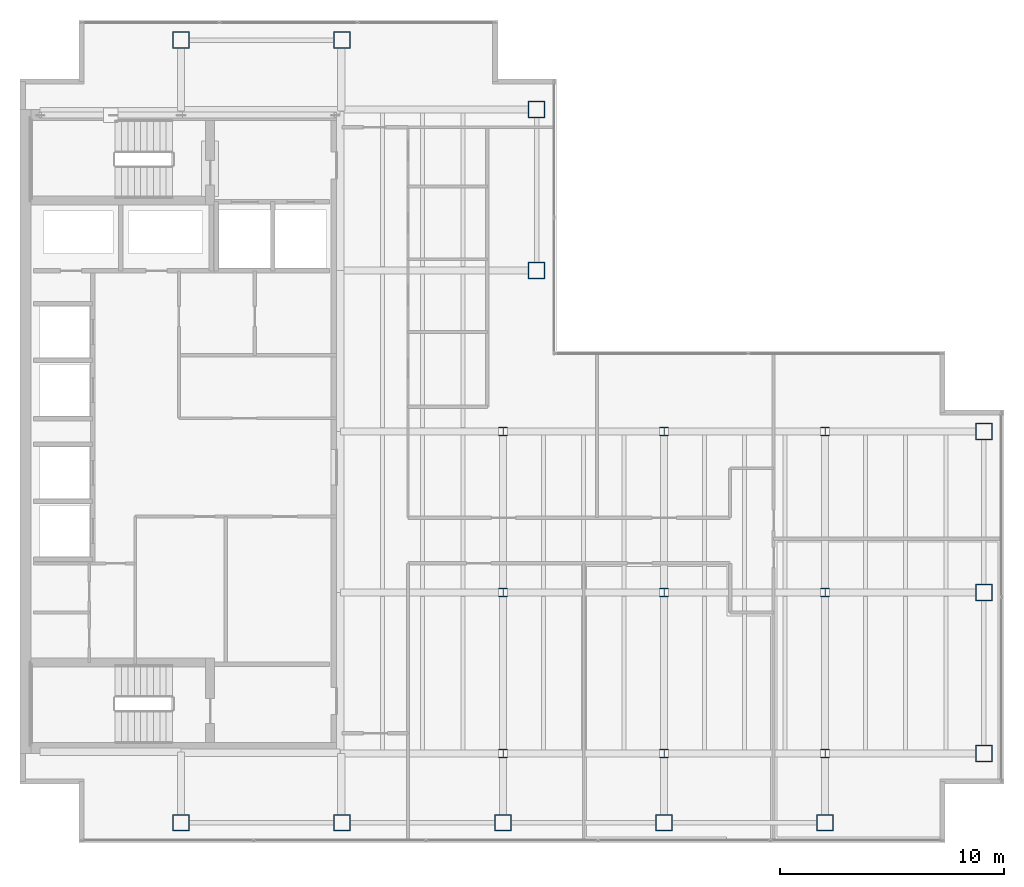
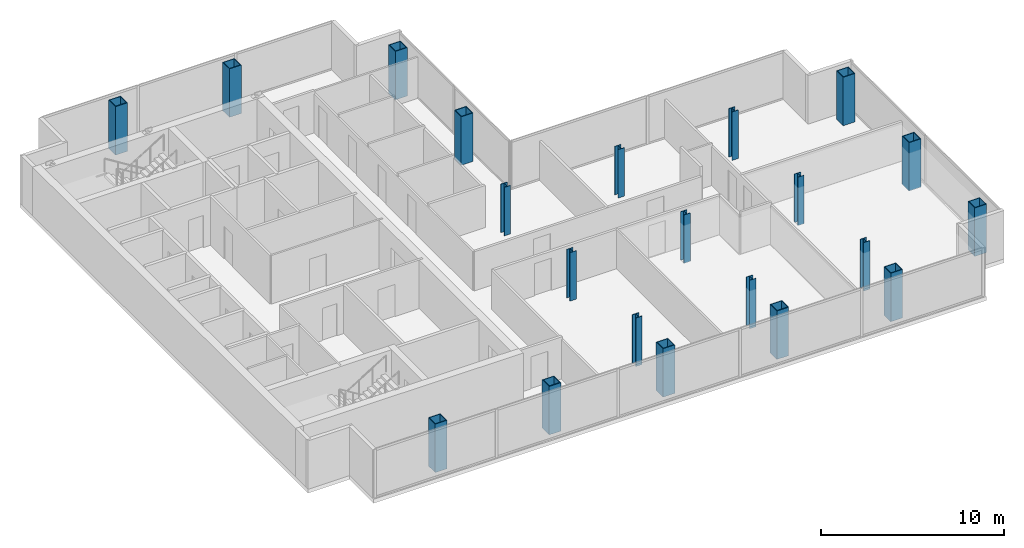
# One storey, part 1 of 23: 21 columns.
"""IFC4 building model written with IfcOpenShell, lengths in metres."""

from ifc_helpers import new_model, si_unit, direction, frame, origin, origin_2d, place, context, subcontext, project, spatial, hollow_rectangle, i_section, extrude, material, material_profile, profile_set, type_object, element, save


model = new_model("IFC4")

# Units and contexts
model_context = context("Model", 3, precision=1e-05, world=origin(), true_north=direction((0.0, 1.0)))
body_context = subcontext(model_context, "Body", "Model", "MODEL_VIEW")
ifc_project = project(units=[si_unit("LENGTHUNIT", "METRE"), si_unit("AREAUNIT", "SQUARE_METRE"), si_unit("VOLUMEUNIT", "CUBIC_METRE"), si_unit("PLANEANGLEUNIT", "RADIAN"), si_unit("MASSUNIT", "GRAM", prefix="KILO")], contexts=[model_context])

# Site, building, storey
site_placement = place(None, origin())
site = spatial("IfcSite", under=ifc_project, at=site_placement, CompositionType="ELEMENT")
building_placement = place(site_placement, origin())
building = spatial("IfcBuilding", under=site, at=building_placement, Name="Cobrela Telecom Tower", CompositionType="ELEMENT")
storey_placement = place(building_placement, frame((0.0, 0.0, 208.25)))
storey = spatial("IfcBuildingStorey", under=building, at=storey_placement, Name="L53", CompositionType="ELEMENT", Elevation=208.25)

# Columns
ifc_material_1 = material(Name="Steel ASTM A992 Grade 50", Category="steel")
ifc_material_profile_1 = material_profile(ifc_material_1, i_section(OverallWidth=0.39892578125, OverallDepth=0.39404296875, WebThickness=0.022705078125, FlangeThickness=0.03662109375, FilletRadius=0.01806640625, at=origin_2d()), Name="W14X193")
ifc_profile_set_1 = profile_set([ifc_material_profile_1], Name="Steel ASTM A992 Grade 50")
column_type_1 = type_object("IfcColumnType", Name="COL-INT-06", PredefinedType="COLUMN", material=ifc_profile_set_1)
for number, where, z_axis, x_axis, name in (
    (1, (21.60009765625, 7.199951171875, 0.0), (0.0, 0.0, 1.0), (1.0, 0.0, 0.0), "L53 Interior Column 06"),
    (2, (21.60009765625, 14.39990234375, 0.0), (0.0, 0.0, 1.0), (1.0, 0.0, 0.0), "L53 Interior Column 07"),
    (3, (21.60009765625, 21.60009765625, 0.0), (0.0, 0.0, 1.0), (1.0, 0.0, 0.0), "L53 Interior Column 08"),
    (4, (28.800048828125, 7.199951171875, 0.0), (0.0, 0.0, 1.0), (1.0, 0.0, 0.0), "L53 Interior Column 12"),
    (5, (28.800048828125, 14.39990234375, 0.0), (0.0, 0.0, 1.0), (1.0, 0.0, 0.0), "L53 Interior Column 13"),
    (6, (28.800048828125, 21.60009765625, 0.0), (0.0, 0.0, 1.0), (1.0, 0.0, 0.0), "L53 Interior Column 14"),
    (7, (36.0, 7.199951171875, 0.0), (0.0, 0.0, 1.0), (1.0, 0.0, 0.0), "L53 Interior Column 16"),
    (8, (36.0, 14.39990234375, 0.0), (0.0, 0.0, 1.0), (1.0, 0.0, 0.0), "L53 Interior Column 17"),
    (9, (36.0, 21.60009765625, 0.0), (0.0, 0.0, 1.0), (1.0, 0.0, 0.0), "L53 Interior Column 18"),
):
    element("IfcColumn", number, at=place(storey_placement, frame(where, z_axis=z_axis, x_axis=x_axis)), inside=storey, type_object=column_type_1, Name=name, PredefinedType="COLUMN", context=body_context, shape_type="SweptSolid", body=[
        extrude(i_section(OverallWidth=0.39892578125, OverallDepth=0.39404296875, WebThickness=0.022705078125, FlangeThickness=0.03662109375, FilletRadius=0.01806640625, at=origin_2d()), origin(), (0.0, 0.0, 1.0), 3.239990234375),
    ])
ifc_material_2 = material(Name="Steel ASTM A572 Grade 50", Category="steel")
ifc_material_profile_2 = material_profile(ifc_material_2, hollow_rectangle(XDim=0.75, YDim=0.75, WallThickness=0.044921875, at=origin_2d()), Name="BOX 750x750x45")
ifc_profile_set_2 = profile_set([ifc_material_profile_2], Name="Steel ASTM A572 Grade 50")
column_type_2 = type_object("IfcColumnType", Name="COL-MEGA-08", PredefinedType="COLUMN", material=ifc_profile_set_2)
for number, where, z_axis, x_axis, name in (
    (10, (7.199951171875, 4.10009765625, 0.0), (0.0, 0.0, 1.0), (1.0, 0.0, 0.0), "L53 Perimeter Mega-Column 01"),
    (11, (7.199951171875, 39.10009765625, 0.0), (0.0, 0.0, 1.0), (1.0, 0.0, 0.0), "L53 Perimeter Mega-Column 02"),
    (12, (14.39990234375, 4.10009765625, 0.0), (0.0, 0.0, 1.0), (1.0, 0.0, 0.0), "L53 Perimeter Mega-Column 03"),
    (13, (14.39990234375, 39.10009765625, 0.0), (0.0, 0.0, 1.0), (1.0, 0.0, 0.0), "L53 Perimeter Mega-Column 04"),
    (14, (21.60009765625, 4.10009765625, 0.0), (0.0, 0.0, 1.0), (1.0, 0.0, 0.0), "L53 Perimeter Mega-Column 05"),
    (15, (23.10009765625, 28.800048828125, 0.0), (0.0, 0.0, 1.0), (1.0, 0.0, 0.0), "L53 Perimeter Mega-Column 09"),
    (16, (23.10009765625, 36.0, 0.0), (0.0, 0.0, 1.0), (1.0, 0.0, 0.0), "L53 Perimeter Mega-Column 10"),
    (17, (28.800048828125, 4.10009765625, 0.0), (0.0, 0.0, 1.0), (1.0, 0.0, 0.0), "L53 Perimeter Mega-Column 11"),
    (18, (36.0, 4.10009765625, 0.0), (0.0, 0.0, 1.0), (1.0, 0.0, 0.0), "L53 Perimeter Mega-Column 15"),
    (19, (43.10009765625, 7.199951171875, 0.0), (0.0, 0.0, 1.0), (1.0, 0.0, 0.0), "L53 Perimeter Mega-Column 19"),
    (20, (43.10009765625, 14.39990234375, 0.0), (0.0, 0.0, 1.0), (1.0, 0.0, 0.0), "L53 Perimeter Mega-Column 20"),
    (21, (43.10009765625, 21.60009765625, 0.0), (0.0, 0.0, 1.0), (1.0, 0.0, 0.0), "L53 Perimeter Mega-Column 21"),
):
    element("IfcColumn", number, at=place(storey_placement, frame(where, z_axis=z_axis, x_axis=x_axis)), inside=storey, type_object=column_type_2, Name=name, PredefinedType="COLUMN", context=body_context, shape_type="SweptSolid", body=[
        extrude(hollow_rectangle(XDim=0.75, YDim=0.75, WallThickness=0.044921875, at=origin_2d()), origin(), (0.0, 0.0, 1.0), 3.239990234375),
    ])

save(model, "model.ifc")
